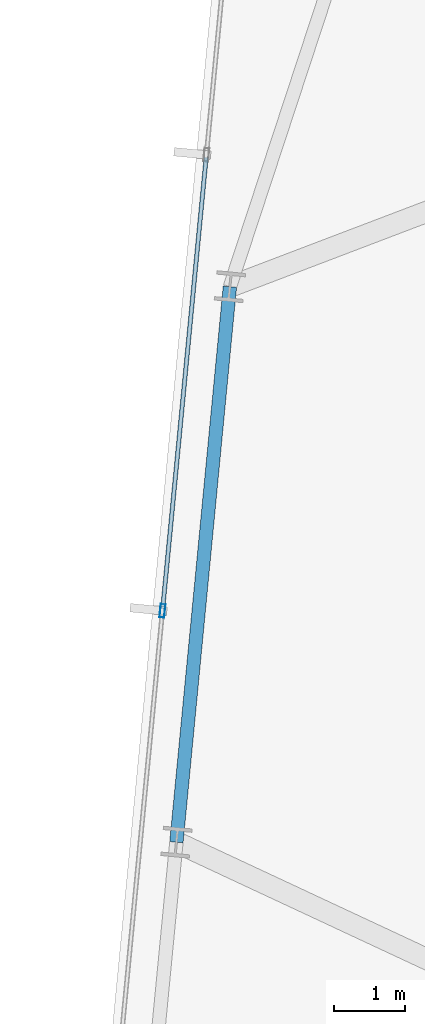
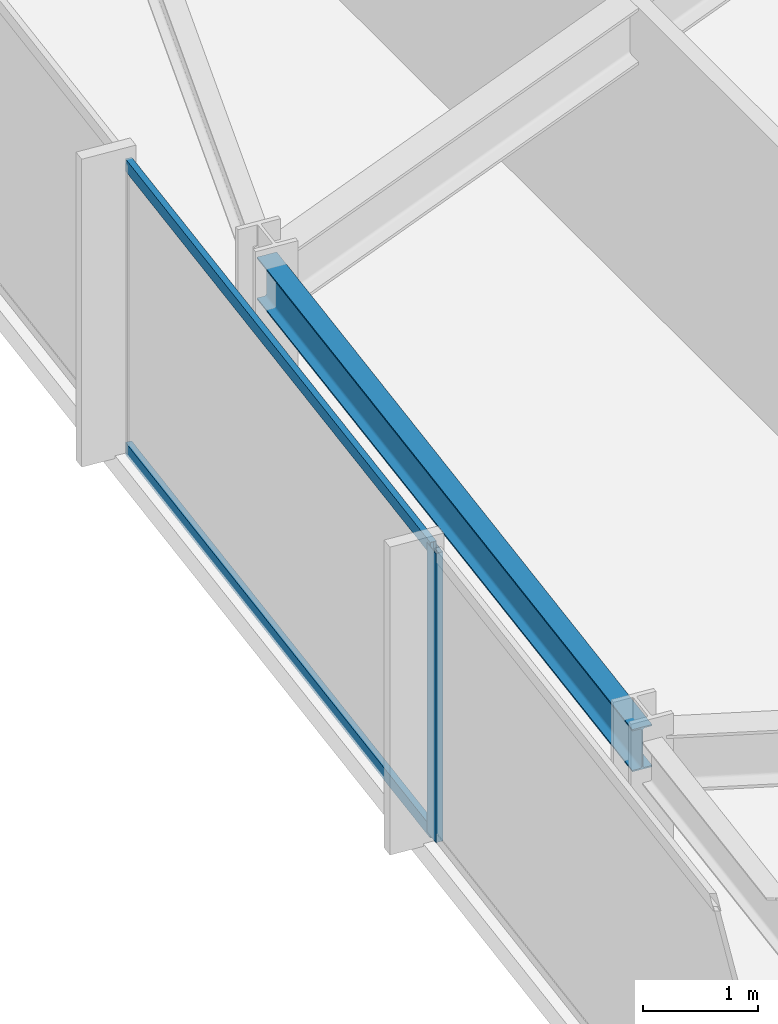
# One storey, part 10 of 37: 3 members, 1 beam, 1 element without a shape of its own.
"""IFC4 building model written with IfcOpenShell, lengths in metres."""

from ifc_helpers import new_model, si_unit, direction, frame, origin, origin_2d, place, context, subcontext, project, spatial, hollow_rectangle, i_section, extrude, material, material_profile, profile_set, type_object, element, aggregate, save


model = new_model("IFC4")

# Units and contexts
model_context = context("Model", 3, precision=1e-05, world=origin(), true_north=direction((0.0, 1.0)))
body_context = subcontext(model_context, "Body", "Model", "MODEL_VIEW")
ifc_project = project(units=[si_unit("LENGTHUNIT", "METRE"), si_unit("AREAUNIT", "SQUARE_METRE"), si_unit("VOLUMEUNIT", "CUBIC_METRE"), si_unit("PLANEANGLEUNIT", "RADIAN"), si_unit("MASSUNIT", "GRAM", prefix="KILO")], contexts=[model_context])

# Site, building, storey
site_placement = place(None, origin())
site = spatial("IfcSite", under=ifc_project, at=site_placement, CompositionType="ELEMENT")
building_placement = place(site_placement, origin())
building = spatial("IfcBuilding", under=site, at=building_placement, Name="Yelkora Congress Tower", CompositionType="ELEMENT")
storey_placement = place(building_placement, frame((0.0, 0.0, 158.89990234375)))
storey = spatial("IfcBuildingStorey", under=building, at=storey_placement, Name="L43", CompositionType="ELEMENT", Elevation=158.89990234375)

# Beam
ifc_material_1 = material(Name="Steel S355J2", Category="steel")
ifc_material_profile_1 = material_profile(ifc_material_1, i_section(OverallWidth=0.18994140625, OverallDepth=0.449951171875, WebThickness=0.009521484375, FlangeThickness=0.0146484375, FilletRadius=0.02099609375, at=origin_2d()), Name="IPE 450")
ifc_profile_set_1 = profile_set([ifc_material_profile_1], Name="Steel S355J2")
beam_type = type_object("IfcBeamType", Name="BM-SPAN-IPE450", PredefinedType="SPANDREL", material=ifc_profile_set_1)
beam_placement = place(storey_placement, frame((4.121826171875, 40.4580078125, 2.85498046875), z_axis=(-0.095864922257, -0.995394352345, 0.0), x_axis=(0.995394352345, -0.095864922257, 0.0)))
element("IfcBeam", 1, at=beam_placement, inside=storey, type_object=beam_type, Name="L43 Perimeter Beam 17", PredefinedType="SPANDREL", context=body_context, shape_type="SweptSolid", body=[
    extrude(i_section(OverallWidth=0.18994140625, OverallDepth=0.449951171875, WebThickness=0.009521484375, FlangeThickness=0.0146484375, FilletRadius=0.02099609375, at=origin_2d()), origin(), (0.0, 0.0, 1.0), 7.89990234375),
])

# Curtain wall, members
ifc_material_2 = material(Name="Anodised aluminium and insulated glass", Category="aluminium")
curtain_wall_type = type_object("IfcCurtainWallType", Name="CW-SYS-B3", PredefinedType="NOTDEFINED", material=ifc_material_2)
curtain_wall_placement = place(storey_placement, origin())
curtain_wall = element("IfcCurtainWall", 2, at=curtain_wall_placement, inside=storey, type_object=curtain_wall_type, Name="L43 Unitised Curtain Wall 5", PredefinedType="NOTDEFINED")
ifc_material_3 = material(Name="Anodised aluminium 6063-T6", Category="aluminium")
ifc_material_profile_2 = material_profile(ifc_material_3, hollow_rectangle(XDim=0.070068359375, YDim=0.18994140625, WallThickness=0.00390625, at=origin_2d()), Name="ALU 70x190x4")
ifc_profile_set_2 = profile_set([ifc_material_profile_2], Name="Anodised aluminium 6063-T6")
member_type_1 = type_object("IfcMemberType", Name="MEM-ML-B3", PredefinedType="MULLION", material=ifc_profile_set_2)
member_1_placement = place(storey_placement, frame((3.167724609375, 35.870361328125, 0.0), z_axis=(0.0, 0.0, 1.0), x_axis=(-0.995396242473, 0.095845294465, 0.0)))
member_1 = element("IfcMember", 3, at=member_1_placement, type_object=member_type_1, Name="CW-B3 mullion 4", PredefinedType="MULLION", context=body_context, shape_type="SweptSolid", body=[
    extrude(hollow_rectangle(XDim=0.070068359375, YDim=0.18994140625, WallThickness=0.00390625, at=origin_2d()), origin(), (0.0, 0.0, 1.0), 3.080078125),
])
ifc_material_profile_3 = material_profile(ifc_material_3, hollow_rectangle(XDim=0.06005859375, YDim=0.1298828125, WallThickness=0.00390625, at=origin_2d()), Name="ALU 60x130x4")
ifc_profile_set_3 = profile_set([ifc_material_profile_3], Name="Anodised aluminium 6063-T6")
member_type_2 = type_object("IfcMemberType", Name="MEM-TR-B3", PredefinedType="USERDEFINED", material=ifc_profile_set_3)
member_2_placement = place(storey_placement, frame((3.171142578125, 35.9052734375, 0.030029296875), z_axis=(0.095847313538, 0.995396048057, 0.0), x_axis=(-0.995396048057, 0.095847313538, 0.0)))
member_2 = element("IfcMember", 4, at=member_2_placement, type_object=member_type_2, Name="CW-B3 transom 4.1", ObjectType="TRANSOM", PredefinedType="USERDEFINED", context=body_context, shape_type="SweptSolid", body=[
    extrude(hollow_rectangle(XDim=0.06005859375, YDim=0.1298828125, WallThickness=0.00390625, at=origin_2d()), origin(), (0.0, 0.0, 1.0), 6.413818359375),
])
member_3_placement = place(storey_placement, frame((3.171142578125, 35.9052734375, 3.050048828125), z_axis=(0.095847313538, 0.995396048057, 0.0), x_axis=(-0.995396048057, 0.095847313538, 0.0)))
member_3 = element("IfcMember", 5, at=member_3_placement, type_object=member_type_2, Name="CW-B3 transom 4.2", ObjectType="TRANSOM", PredefinedType="USERDEFINED", context=body_context, shape_type="SweptSolid", body=[
    extrude(hollow_rectangle(XDim=0.06005859375, YDim=0.1298828125, WallThickness=0.00390625, at=origin_2d()), origin(), (0.0, 0.0, 1.0), 6.413818359375),
])
aggregate(curtain_wall, [member_1, member_2, member_3])

save(model, "model.ifc")
